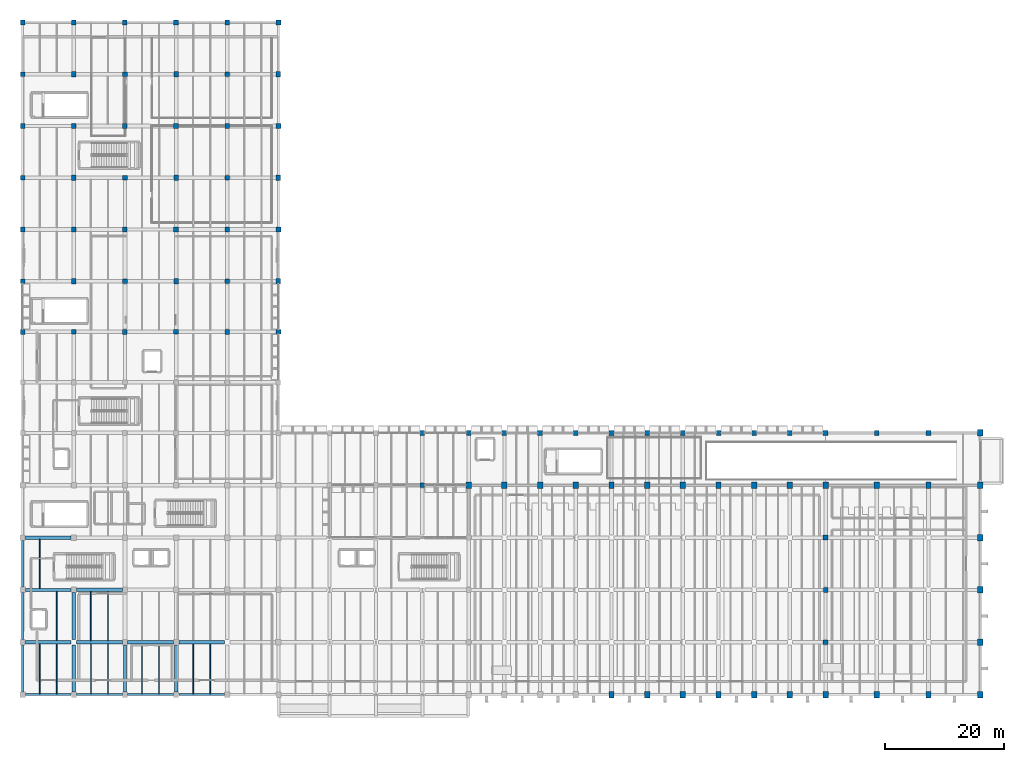
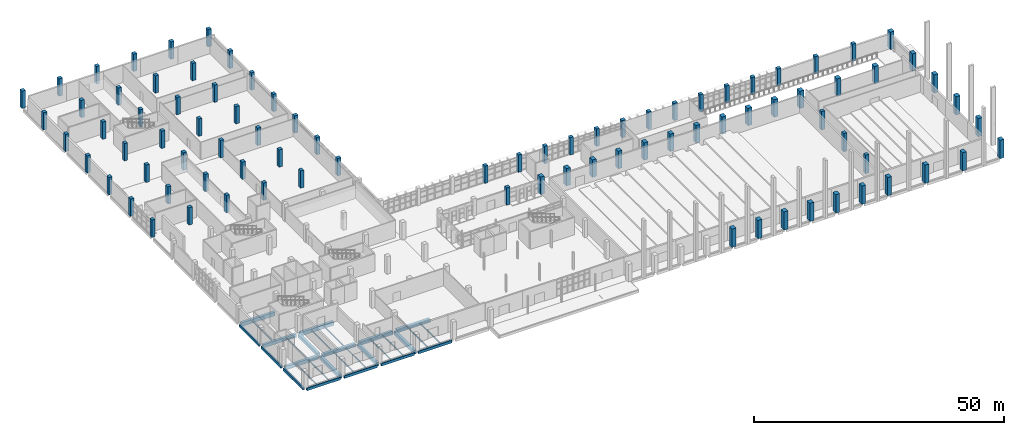
# One storey, part 7 of 76: 88 columns, 30 beams.
"""IFC4 building model written with IfcOpenShell, lengths in metres."""

from ifc_helpers import new_model, si_unit, direction, frame, origin, origin_2d, place, context, subcontext, project, spatial, rectangle, i_section, extrude, material, material_profile, profile_set, type_object, element, save


model = new_model("IFC4")

# Units and contexts
model_context = context("Model", 3, precision=1e-05, world=origin(), true_north=direction((0.0, 1.0)))
body_context = subcontext(model_context, "Body", "Model", "MODEL_VIEW")
ifc_project = project(units=[si_unit("LENGTHUNIT", "METRE"), si_unit("AREAUNIT", "SQUARE_METRE"), si_unit("VOLUMEUNIT", "CUBIC_METRE"), si_unit("PLANEANGLEUNIT", "RADIAN"), si_unit("MASSUNIT", "GRAM", prefix="KILO")], contexts=[model_context])

# Site, building, storey
site_placement = place(None, origin())
site = spatial("IfcSite", under=ifc_project, at=site_placement, CompositionType="ELEMENT")
building_placement = place(site_placement, origin())
building = spatial("IfcBuilding", under=site, at=building_placement, Name="Varnakota Cinema and Media Centre", CompositionType="ELEMENT")
storey_placement = place(building_placement, origin())
storey = spatial("IfcBuildingStorey", under=building, at=storey_placement, Name="L00", CompositionType="ELEMENT", Elevation=0.0)

# Columns
ifc_material_1 = material(Name="Concrete M40", Category="concrete")
ifc_material_profile_1 = material_profile(ifc_material_1, rectangle(XDim=0.75, YDim=0.85009765625, at=origin_2d()), Name="RC 750x850")
ifc_profile_set_1 = profile_set([ifc_material_profile_1], Name="Concrete M40")
column_type_1 = type_object("IfcColumnType", Name="COL-RC-750x850", PredefinedType="COLUMN", material=ifc_profile_set_1)
for number, where, z_axis, x_axis, name in (
    (1, (0.0, 61.0, 0.0), (0.0, 0.0, 1.0), (1.0, 0.0, 0.0), "L00 column A/8"),
    (2, (0.0, 78.199951171875, 0.0), (0.0, 0.0, 1.0), (1.0, 0.0, 0.0), "L00 column A/10"),
    (3, (0.0, 95.60009765625, 0.0), (0.0, 0.0, 1.0), (1.0, 0.0, 0.0), "L00 column A/12"),
    (4, (0.0, 113.0, 0.0), (0.0, 0.0, 1.0), (1.0, 0.0, 0.0), "L00 column A/14"),
    (5, (8.60009765625, 69.5, 0.0), (0.0, 0.0, 1.0), (1.0, 0.0, 0.0), "L00 column B/9"),
    (6, (8.60009765625, 86.89990234375, 0.0), (0.0, 0.0, 1.0), (1.0, 0.0, 0.0), "L00 column B/11"),
    (7, (8.60009765625, 104.300048828125, 0.0), (0.0, 0.0, 1.0), (1.0, 0.0, 0.0), "L00 column B/13"),
    (8, (17.199951171875, 61.0, 0.0), (0.0, 0.0, 1.0), (1.0, 0.0, 0.0), "L00 column C/8"),
    (9, (17.199951171875, 78.199951171875, 0.0), (0.0, 0.0, 1.0), (1.0, 0.0, 0.0), "L00 column C/10"),
    (10, (17.199951171875, 95.60009765625, 0.0), (0.0, 0.0, 1.0), (1.0, 0.0, 0.0), "L00 column C/12"),
    (11, (17.199951171875, 113.0, 0.0), (0.0, 0.0, 1.0), (1.0, 0.0, 0.0), "L00 column C/14"),
    (12, (25.800048828125, 69.5, 0.0), (0.0, 0.0, 1.0), (1.0, 0.0, 0.0), "L00 column D/9"),
    (13, (25.800048828125, 86.89990234375, 0.0), (0.0, 0.0, 1.0), (1.0, 0.0, 0.0), "L00 column D/11"),
    (14, (25.800048828125, 104.300048828125, 0.0), (0.0, 0.0, 1.0), (1.0, 0.0, 0.0), "L00 column D/13"),
    (15, (34.39990234375, 61.0, 0.0), (0.0, 0.0, 1.0), (1.0, 0.0, 0.0), "L00 column E/8"),
    (16, (34.39990234375, 78.199951171875, 0.0), (0.0, 0.0, 1.0), (1.0, 0.0, 0.0), "L00 column E/10"),
    (17, (34.39990234375, 95.60009765625, 0.0), (0.0, 0.0, 1.0), (1.0, 0.0, 0.0), "L00 column E/12"),
    (18, (34.39990234375, 113.0, 0.0), (0.0, 0.0, 1.0), (1.0, 0.0, 0.0), "L00 column E/14"),
    (19, (43.0, 69.5, 0.0), (0.0, 0.0, 1.0), (1.0, 0.0, 0.0), "L00 column F/9"),
    (20, (43.0, 86.89990234375, 0.0), (0.0, 0.0, 1.0), (1.0, 0.0, 0.0), "L00 column F/11"),
    (21, (43.0, 104.300048828125, 0.0), (0.0, 0.0, 1.0), (1.0, 0.0, 0.0), "L00 column F/13"),
    (22, (67.199951171875, 44.0, 0.0), (0.0, 0.0, 1.0), (1.0, 0.0, 0.0), "L00 column J/6"),
    (23, (81.0, 44.0, 0.0), (0.0, 0.0, 1.0), (1.0, 0.0, 0.0), "L00 column L/6"),
    (24, (93.0, 44.0, 0.0), (0.0, 0.0, 1.0), (1.0, 0.0, 0.0), "L00 column N/6"),
    (25, (105.0, 44.0, 0.0), (0.0, 0.0, 1.0), (1.0, 0.0, 0.0), "L00 column Q/6"),
    (26, (117.0, 44.0, 0.0), (0.0, 0.0, 1.0), (1.0, 0.0, 0.0), "L00 column S/6"),
    (27, (129.0, 44.0, 0.0), (0.0, 0.0, 1.0), (1.0, 0.0, 0.0), "L00 column U/6"),
):
    element("IfcColumn", number, at=place(storey_placement, frame(where, z_axis=z_axis, x_axis=x_axis)), inside=storey, type_object=column_type_1, Name=name, PredefinedType="COLUMN", context=body_context, shape_type="SweptSolid", body=[
        extrude(rectangle(XDim=0.75, YDim=0.85009765625, at=origin_2d()), origin(), (0.0, 0.0, 1.0), 4.25),
    ])
column_1_placement = place(storey_placement, frame((135.0, 17.60009765625, 0.0), z_axis=(0.0, 0.0, 1.0), x_axis=(1.0, 0.0, 0.0)))
element("IfcColumn", 28, at=column_1_placement, inside=storey, type_object=column_type_1, Name="L00 column V/3", PredefinedType="COLUMN", context=body_context, shape_type="SweptSolid", body=[
    extrude(rectangle(XDim=0.75, YDim=0.85009765625, at=origin_2d()), origin(), (0.0, 0.0, 1.0), 4.5),
])
column_2_placement = place(storey_placement, frame((143.60009765625, 44.0, 0.0), z_axis=(0.0, 0.0, 1.0), x_axis=(1.0, 0.0, 0.0)))
element("IfcColumn", 29, at=column_2_placement, inside=storey, type_object=column_type_1, Name="L00 column W/6", PredefinedType="COLUMN", context=body_context, shape_type="SweptSolid", body=[
    extrude(rectangle(XDim=0.75, YDim=0.85009765625, at=origin_2d()), origin(), (0.0, 0.0, 1.0), 4.25),
])
ifc_material_2 = material(Name="Concrete M40", Category="concrete")
ifc_material_profile_2 = material_profile(ifc_material_2, rectangle(XDim=0.800048828125, YDim=0.800048828125, at=origin_2d()), Name="RC 800x800")
ifc_profile_set_2 = profile_set([ifc_material_profile_2], Name="Concrete M40")
column_type_2 = type_object("IfcColumnType", Name="COL-RC-800x800", PredefinedType="COLUMN", material=ifc_profile_set_2)
for number, where, z_axis, x_axis, name in (
    (30, (0.0, 69.5, 0.0), (0.0, 0.0, 1.0), (1.0, 0.0, 0.0), "L00 column A/9"),
    (31, (0.0, 86.89990234375, 0.0), (0.0, 0.0, 1.0), (1.0, 0.0, 0.0), "L00 column A/11"),
    (32, (0.0, 104.300048828125, 0.0), (0.0, 0.0, 1.0), (1.0, 0.0, 0.0), "L00 column A/13"),
    (33, (8.60009765625, 61.0, 0.0), (0.0, 0.0, 1.0), (1.0, 0.0, 0.0), "L00 column B/8"),
    (34, (8.60009765625, 78.199951171875, 0.0), (0.0, 0.0, 1.0), (1.0, 0.0, 0.0), "L00 column B/10"),
    (35, (8.60009765625, 95.60009765625, 0.0), (0.0, 0.0, 1.0), (1.0, 0.0, 0.0), "L00 column B/12"),
    (36, (8.60009765625, 113.0, 0.0), (0.0, 0.0, 1.0), (1.0, 0.0, 0.0), "L00 column B/14"),
    (37, (17.199951171875, 69.5, 0.0), (0.0, 0.0, 1.0), (1.0, 0.0, 0.0), "L00 column C/9"),
    (38, (17.199951171875, 86.89990234375, 0.0), (0.0, 0.0, 1.0), (1.0, 0.0, 0.0), "L00 column C/11"),
    (39, (17.199951171875, 104.300048828125, 0.0), (0.0, 0.0, 1.0), (1.0, 0.0, 0.0), "L00 column C/13"),
    (40, (25.800048828125, 61.0, 0.0), (0.0, 0.0, 1.0), (1.0, 0.0, 0.0), "L00 column D/8"),
    (41, (25.800048828125, 78.199951171875, 0.0), (0.0, 0.0, 1.0), (1.0, 0.0, 0.0), "L00 column D/10"),
    (42, (25.800048828125, 95.60009765625, 0.0), (0.0, 0.0, 1.0), (1.0, 0.0, 0.0), "L00 column D/12"),
    (43, (25.800048828125, 113.0, 0.0), (0.0, 0.0, 1.0), (1.0, 0.0, 0.0), "L00 column D/14"),
    (44, (34.39990234375, 69.5, 0.0), (0.0, 0.0, 1.0), (1.0, 0.0, 0.0), "L00 column E/9"),
    (45, (34.39990234375, 86.89990234375, 0.0), (0.0, 0.0, 1.0), (1.0, 0.0, 0.0), "L00 column E/11"),
    (46, (34.39990234375, 104.300048828125, 0.0), (0.0, 0.0, 1.0), (1.0, 0.0, 0.0), "L00 column E/13"),
    (47, (43.0, 61.0, 0.0), (0.0, 0.0, 1.0), (1.0, 0.0, 0.0), "L00 column F/8"),
    (48, (43.0, 78.199951171875, 0.0), (0.0, 0.0, 1.0), (1.0, 0.0, 0.0), "L00 column F/10"),
    (49, (43.0, 95.60009765625, 0.0), (0.0, 0.0, 1.0), (1.0, 0.0, 0.0), "L00 column F/12"),
    (50, (43.0, 113.0, 0.0), (0.0, 0.0, 1.0), (1.0, 0.0, 0.0), "L00 column F/14"),
    (51, (67.199951171875, 35.199951171875, 0.0), (0.0, 0.0, 1.0), (1.0, 0.0, 0.0), "L00 column J/5"),
    (52, (75.0, 44.0, 0.0), (0.0, 0.0, 1.0), (1.0, 0.0, 0.0), "L00 column K/6"),
    (53, (87.0, 44.0, 0.0), (0.0, 0.0, 1.0), (1.0, 0.0, 0.0), "L00 column M/6"),
    (54, (99.0, 44.0, 0.0), (0.0, 0.0, 1.0), (1.0, 0.0, 0.0), "L00 column P/6"),
    (55, (111.0, 44.0, 0.0), (0.0, 0.0, 1.0), (1.0, 0.0, 0.0), "L00 column R/6"),
    (56, (123.0, 44.0, 0.0), (0.0, 0.0, 1.0), (1.0, 0.0, 0.0), "L00 column T/6"),
):
    element("IfcColumn", number, at=place(storey_placement, frame(where, z_axis=z_axis, x_axis=x_axis)), inside=storey, type_object=column_type_2, Name=name, PredefinedType="COLUMN", context=body_context, shape_type="SweptSolid", body=[
        extrude(rectangle(XDim=0.800048828125, YDim=0.800048828125, at=origin_2d()), origin(), (0.0, 0.0, 1.0), 4.25),
    ])
for number, where, z_axis, x_axis, name in (
    (57, (135.0, 8.800048828125, 0.0), (0.0, 0.0, 1.0), (1.0, 0.0, 0.0), "L00 column V/2"),
    (58, (135.0, 26.39990234375, 0.0), (0.0, 0.0, 1.0), (1.0, 0.0, 0.0), "L00 column V/4"),
):
    element("IfcColumn", number, at=place(storey_placement, frame(where, z_axis=z_axis, x_axis=x_axis)), inside=storey, type_object=column_type_2, Name=name, PredefinedType="COLUMN", context=body_context, shape_type="SweptSolid", body=[
        extrude(rectangle(XDim=0.800048828125, YDim=0.800048828125, at=origin_2d()), origin(), (0.0, 0.0, 1.0), 4.5),
    ])
for number, where, z_axis, x_axis, name in (
    (59, (135.0, 44.0, 0.0), (0.0, 0.0, 1.0), (1.0, 0.0, 0.0), "L00 column V/6"),
    (60, (152.300048828125, 44.0, 0.0), (0.0, 0.0, 1.0), (1.0, 0.0, 0.0), "L00 column X/6"),
):
    element("IfcColumn", number, at=place(storey_placement, frame(where, z_axis=z_axis, x_axis=x_axis)), inside=storey, type_object=column_type_2, Name=name, PredefinedType="COLUMN", context=body_context, shape_type="SweptSolid", body=[
        extrude(rectangle(XDim=0.800048828125, YDim=0.800048828125, at=origin_2d()), origin(), (0.0, 0.0, 1.0), 4.25),
    ])
ifc_material_3 = material(Name="Concrete M50", Category="concrete")
ifc_material_profile_3 = material_profile(ifc_material_3, rectangle(XDim=0.89990234375, YDim=1.10009765625, at=origin_2d()), Name="RC 900x1100")
ifc_profile_set_3 = profile_set([ifc_material_profile_3], Name="Concrete M50")
column_type_3 = type_object("IfcColumnType", Name="COL-RC-900x1100", PredefinedType="COLUMN", material=ifc_profile_set_3)
for number, where, z_axis, x_axis, name in (
    (61, (75.0, 35.199951171875, 0.0), (0.0, 0.0, 1.0), (1.0, 0.0, 0.0), "L00 column K/5"),
    (62, (81.0, 35.199951171875, 0.0), (0.0, 0.0, 1.0), (1.0, 0.0, 0.0), "L00 column L/5"),
    (63, (87.0, 35.199951171875, 0.0), (0.0, 0.0, 1.0), (1.0, 0.0, 0.0), "L00 column M/5"),
    (64, (93.0, 35.199951171875, 0.0), (0.0, 0.0, 1.0), (1.0, 0.0, 0.0), "L00 column N/5"),
):
    element("IfcColumn", number, at=place(storey_placement, frame(where, z_axis=z_axis, x_axis=x_axis)), inside=storey, type_object=column_type_3, Name=name, PredefinedType="COLUMN", context=body_context, shape_type="SweptSolid", body=[
        extrude(rectangle(XDim=0.89990234375, YDim=1.10009765625, at=origin_2d()), origin(), (0.0, 0.0, 1.0), 4.25),
    ])
column_3_placement = place(storey_placement, frame((99.0, 0.0, 0.0), z_axis=(0.0, 0.0, 1.0), x_axis=(1.0, 0.0, 0.0)))
element("IfcColumn", 65, at=column_3_placement, inside=storey, type_object=column_type_3, Name="L00 column P/1", PredefinedType="COLUMN", context=body_context, shape_type="SweptSolid", body=[
    extrude(rectangle(XDim=0.89990234375, YDim=1.10009765625, at=origin_2d()), origin(), (0.0, 0.0, 1.0), 4.5),
])
column_4_placement = place(storey_placement, frame((99.0, 35.199951171875, 0.0), z_axis=(0.0, 0.0, 1.0), x_axis=(1.0, 0.0, 0.0)))
element("IfcColumn", 66, at=column_4_placement, inside=storey, type_object=column_type_3, Name="L00 column P/5", PredefinedType="COLUMN", context=body_context, shape_type="SweptSolid", body=[
    extrude(rectangle(XDim=0.89990234375, YDim=1.10009765625, at=origin_2d()), origin(), (0.0, 0.0, 1.0), 4.25),
])
column_5_placement = place(storey_placement, frame((105.0, 0.0, 0.0), z_axis=(0.0, 0.0, 1.0), x_axis=(1.0, 0.0, 0.0)))
element("IfcColumn", 67, at=column_5_placement, inside=storey, type_object=column_type_3, Name="L00 column Q/1", PredefinedType="COLUMN", context=body_context, shape_type="SweptSolid", body=[
    extrude(rectangle(XDim=0.89990234375, YDim=1.10009765625, at=origin_2d()), origin(), (0.0, 0.0, 1.0), 4.5),
])
column_6_placement = place(storey_placement, frame((105.0, 35.199951171875, 0.0), z_axis=(0.0, 0.0, 1.0), x_axis=(1.0, 0.0, 0.0)))
element("IfcColumn", 68, at=column_6_placement, inside=storey, type_object=column_type_3, Name="L00 column Q/5", PredefinedType="COLUMN", context=body_context, shape_type="SweptSolid", body=[
    extrude(rectangle(XDim=0.89990234375, YDim=1.10009765625, at=origin_2d()), origin(), (0.0, 0.0, 1.0), 4.25),
])
column_7_placement = place(storey_placement, frame((111.0, 0.0, 0.0), z_axis=(0.0, 0.0, 1.0), x_axis=(1.0, 0.0, 0.0)))
element("IfcColumn", 69, at=column_7_placement, inside=storey, type_object=column_type_3, Name="L00 column R/1", PredefinedType="COLUMN", context=body_context, shape_type="SweptSolid", body=[
    extrude(rectangle(XDim=0.89990234375, YDim=1.10009765625, at=origin_2d()), origin(), (0.0, 0.0, 1.0), 4.5),
])
column_8_placement = place(storey_placement, frame((111.0, 35.199951171875, 0.0), z_axis=(0.0, 0.0, 1.0), x_axis=(1.0, 0.0, 0.0)))
element("IfcColumn", 70, at=column_8_placement, inside=storey, type_object=column_type_3, Name="L00 column R/5", PredefinedType="COLUMN", context=body_context, shape_type="SweptSolid", body=[
    extrude(rectangle(XDim=0.89990234375, YDim=1.10009765625, at=origin_2d()), origin(), (0.0, 0.0, 1.0), 4.25),
])
column_9_placement = place(storey_placement, frame((117.0, 0.0, 0.0), z_axis=(0.0, 0.0, 1.0), x_axis=(1.0, 0.0, 0.0)))
element("IfcColumn", 71, at=column_9_placement, inside=storey, type_object=column_type_3, Name="L00 column S/1", PredefinedType="COLUMN", context=body_context, shape_type="SweptSolid", body=[
    extrude(rectangle(XDim=0.89990234375, YDim=1.10009765625, at=origin_2d()), origin(), (0.0, 0.0, 1.0), 4.5),
])
column_10_placement = place(storey_placement, frame((117.0, 35.199951171875, 0.0), z_axis=(0.0, 0.0, 1.0), x_axis=(1.0, 0.0, 0.0)))
element("IfcColumn", 72, at=column_10_placement, inside=storey, type_object=column_type_3, Name="L00 column S/5", PredefinedType="COLUMN", context=body_context, shape_type="SweptSolid", body=[
    extrude(rectangle(XDim=0.89990234375, YDim=1.10009765625, at=origin_2d()), origin(), (0.0, 0.0, 1.0), 4.25),
])
column_11_placement = place(storey_placement, frame((123.0, 0.0, 0.0), z_axis=(0.0, 0.0, 1.0), x_axis=(1.0, 0.0, 0.0)))
element("IfcColumn", 73, at=column_11_placement, inside=storey, type_object=column_type_3, Name="L00 column T/1", PredefinedType="COLUMN", context=body_context, shape_type="SweptSolid", body=[
    extrude(rectangle(XDim=0.89990234375, YDim=1.10009765625, at=origin_2d()), origin(), (0.0, 0.0, 1.0), 4.5),
])
column_12_placement = place(storey_placement, frame((123.0, 35.199951171875, 0.0), z_axis=(0.0, 0.0, 1.0), x_axis=(1.0, 0.0, 0.0)))
element("IfcColumn", 74, at=column_12_placement, inside=storey, type_object=column_type_3, Name="L00 column T/5", PredefinedType="COLUMN", context=body_context, shape_type="SweptSolid", body=[
    extrude(rectangle(XDim=0.89990234375, YDim=1.10009765625, at=origin_2d()), origin(), (0.0, 0.0, 1.0), 4.25),
])
column_13_placement = place(storey_placement, frame((129.0, 0.0, 0.0), z_axis=(0.0, 0.0, 1.0), x_axis=(1.0, 0.0, 0.0)))
element("IfcColumn", 75, at=column_13_placement, inside=storey, type_object=column_type_3, Name="L00 column U/1", PredefinedType="COLUMN", context=body_context, shape_type="SweptSolid", body=[
    extrude(rectangle(XDim=0.89990234375, YDim=1.10009765625, at=origin_2d()), origin(), (0.0, 0.0, 1.0), 4.5),
])
column_14_placement = place(storey_placement, frame((129.0, 35.199951171875, 0.0), z_axis=(0.0, 0.0, 1.0), x_axis=(1.0, 0.0, 0.0)))
element("IfcColumn", 76, at=column_14_placement, inside=storey, type_object=column_type_3, Name="L00 column U/5", PredefinedType="COLUMN", context=body_context, shape_type="SweptSolid", body=[
    extrude(rectangle(XDim=0.89990234375, YDim=1.10009765625, at=origin_2d()), origin(), (0.0, 0.0, 1.0), 4.25),
])
column_15_placement = place(storey_placement, frame((135.0, 0.0, 0.0), z_axis=(0.0, 0.0, 1.0), x_axis=(1.0, 0.0, 0.0)))
element("IfcColumn", 77, at=column_15_placement, inside=storey, type_object=column_type_3, Name="L00 column V/1", PredefinedType="COLUMN", context=body_context, shape_type="SweptSolid", body=[
    extrude(rectangle(XDim=0.89990234375, YDim=1.10009765625, at=origin_2d()), origin(), (0.0, 0.0, 1.0), 4.5),
])
column_16_placement = place(storey_placement, frame((135.0, 35.199951171875, 0.0), z_axis=(0.0, 0.0, 1.0), x_axis=(1.0, 0.0, 0.0)))
element("IfcColumn", 78, at=column_16_placement, inside=storey, type_object=column_type_3, Name="L00 column V/5", PredefinedType="COLUMN", context=body_context, shape_type="SweptSolid", body=[
    extrude(rectangle(XDim=0.89990234375, YDim=1.10009765625, at=origin_2d()), origin(), (0.0, 0.0, 1.0), 4.25),
])
column_17_placement = place(storey_placement, frame((143.60009765625, 0.0, 0.0), z_axis=(0.0, 0.0, 1.0), x_axis=(1.0, 0.0, 0.0)))
element("IfcColumn", 79, at=column_17_placement, inside=storey, type_object=column_type_3, Name="L00 column W/1", PredefinedType="COLUMN", context=body_context, shape_type="SweptSolid", body=[
    extrude(rectangle(XDim=0.89990234375, YDim=1.10009765625, at=origin_2d()), origin(), (0.0, 0.0, 1.0), 4.5),
])
column_18_placement = place(storey_placement, frame((143.60009765625, 35.199951171875, 0.0), z_axis=(0.0, 0.0, 1.0), x_axis=(1.0, 0.0, 0.0)))
element("IfcColumn", 80, at=column_18_placement, inside=storey, type_object=column_type_3, Name="L00 column W/5", PredefinedType="COLUMN", context=body_context, shape_type="SweptSolid", body=[
    extrude(rectangle(XDim=0.89990234375, YDim=1.10009765625, at=origin_2d()), origin(), (0.0, 0.0, 1.0), 4.25),
])
column_19_placement = place(storey_placement, frame((152.300048828125, 0.0, 0.0), z_axis=(0.0, 0.0, 1.0), x_axis=(1.0, 0.0, 0.0)))
element("IfcColumn", 81, at=column_19_placement, inside=storey, type_object=column_type_3, Name="L00 column X/1", PredefinedType="COLUMN", context=body_context, shape_type="SweptSolid", body=[
    extrude(rectangle(XDim=0.89990234375, YDim=1.10009765625, at=origin_2d()), origin(), (0.0, 0.0, 1.0), 4.5),
])
column_20_placement = place(storey_placement, frame((152.300048828125, 35.199951171875, 0.0), z_axis=(0.0, 0.0, 1.0), x_axis=(1.0, 0.0, 0.0)))
element("IfcColumn", 82, at=column_20_placement, inside=storey, type_object=column_type_3, Name="L00 column X/5", PredefinedType="COLUMN", context=body_context, shape_type="SweptSolid", body=[
    extrude(rectangle(XDim=0.89990234375, YDim=1.10009765625, at=origin_2d()), origin(), (0.0, 0.0, 1.0), 4.25),
])
for number, where, z_axis, x_axis, name in (
    (83, (161.0, 0.0, 0.0), (0.0, 0.0, 1.0), (1.0, 0.0, 0.0), "L00 column Y/1"),
    (84, (161.0, 8.800048828125, 0.0), (0.0, 0.0, 1.0), (1.0, 0.0, 0.0), "L00 column Y/2"),
    (85, (161.0, 17.60009765625, 0.0), (0.0, 0.0, 1.0), (1.0, 0.0, 0.0), "L00 column Y/3"),
    (86, (161.0, 26.39990234375, 0.0), (0.0, 0.0, 1.0), (1.0, 0.0, 0.0), "L00 column Y/4"),
):
    element("IfcColumn", number, at=place(storey_placement, frame(where, z_axis=z_axis, x_axis=x_axis)), inside=storey, type_object=column_type_3, Name=name, PredefinedType="COLUMN", context=body_context, shape_type="SweptSolid", body=[
        extrude(rectangle(XDim=0.89990234375, YDim=1.10009765625, at=origin_2d()), origin(), (0.0, 0.0, 1.0), 4.5),
    ])
for number, where, z_axis, x_axis, name in (
    (87, (161.0, 35.199951171875, 0.0), (0.0, 0.0, 1.0), (1.0, 0.0, 0.0), "L00 column Y/5"),
    (88, (161.0, 44.0, 0.0), (0.0, 0.0, 1.0), (1.0, 0.0, 0.0), "L00 column Y/6"),
):
    element("IfcColumn", number, at=place(storey_placement, frame(where, z_axis=z_axis, x_axis=x_axis)), inside=storey, type_object=column_type_3, Name=name, PredefinedType="COLUMN", context=body_context, shape_type="SweptSolid", body=[
        extrude(rectangle(XDim=0.89990234375, YDim=1.10009765625, at=origin_2d()), origin(), (0.0, 0.0, 1.0), 4.25),
    ])

# Beams
ifc_material_4 = material(Name="Concrete M35", Category="concrete")
ifc_material_profile_4 = material_profile(ifc_material_4, rectangle(XDim=0.550048828125, YDim=0.800048828125, at=origin_2d()), Name="RCB 550x800")
ifc_profile_set_4 = profile_set([ifc_material_profile_4], Name="Concrete M35")
beam_type_1 = type_object("IfcBeamType", Name="BM-RC-550x800", PredefinedType="BEAM", material=ifc_profile_set_4)
for number, where, z_axis, x_axis, name in (
    (89, (9.050048828125, 8.800048828125, -0.679931640625), (1.0, 0.0, 0.0), (0.0, 1.0, 0.0), "L00 girder B-C/2"),
    (90, (0.449951171875, 17.60009765625, -0.679931640625), (1.0, 0.0, 0.0), (0.0, 1.0, 0.0), "L00 girder A-B/3"),
):
    element("IfcBeam", number, at=place(storey_placement, frame(where, z_axis=z_axis, x_axis=x_axis)), inside=storey, type_object=beam_type_1, Name=name, PredefinedType="BEAM", context=body_context, shape_type="SweptSolid", body=[
        extrude(rectangle(XDim=0.550048828125, YDim=0.800048828125, at=origin_2d()), origin(), (0.0, 0.0, 1.0), 7.699951171875),
    ])
beam_1_placement = place(storey_placement, frame((8.60009765625, 9.25, -0.679931640625), z_axis=(0.0, 1.0, 0.0), x_axis=(-1.0, 0.0, 0.0)))
element("IfcBeam", 91, at=beam_1_placement, inside=storey, type_object=beam_type_1, Name="L00 girder B/2-3", PredefinedType="BEAM", context=body_context, shape_type="SweptSolid", body=[
    extrude(rectangle(XDim=0.550048828125, YDim=0.800048828125, at=origin_2d()), origin(), (0.0, 0.0, 1.0), 7.89990234375),
])
beam_2_placement = place(storey_placement, frame((17.199951171875, 0.449951171875, -0.679931640625), z_axis=(0.0, 1.0, 0.0), x_axis=(-1.0, 0.0, 0.0)))
element("IfcBeam", 92, at=beam_2_placement, inside=storey, type_object=beam_type_1, Name="L00 girder C/1-2", PredefinedType="BEAM", context=body_context, shape_type="SweptSolid", body=[
    extrude(rectangle(XDim=0.550048828125, YDim=0.800048828125, at=origin_2d()), origin(), (0.0, 0.0, 1.0), 7.900146484375),
])
ifc_material_5 = material(Name="Concrete M35", Category="concrete")
ifc_material_profile_5 = material_profile(ifc_material_5, rectangle(XDim=0.60009765625, YDim=0.85009765625, at=origin_2d()), Name="RCB 600x850")
ifc_profile_set_5 = profile_set([ifc_material_profile_5], Name="Concrete M35")
beam_type_2 = type_object("IfcBeamType", Name="BM-RC-600x850", PredefinedType="BEAM", material=ifc_profile_set_5)
for number, where, z_axis, x_axis, name in (
    (93, (0.449951171875, 8.800048828125, -0.705078125), (1.0, 0.0, 0.0), (0.0, 1.0, 0.0), "L00 girder A-B/2"),
    (94, (26.25, 8.800048828125, -0.705078125), (1.0, 0.0, 0.0), (0.0, 1.0, 0.0), "L00 girder D-E/2"),
):
    element("IfcBeam", number, at=place(storey_placement, frame(where, z_axis=z_axis, x_axis=x_axis)), inside=storey, type_object=beam_type_2, Name=name, PredefinedType="BEAM", context=body_context, shape_type="SweptSolid", body=[
        extrude(rectangle(XDim=0.60009765625, YDim=0.85009765625, at=origin_2d()), origin(), (0.0, 0.0, 1.0), 7.699951171875),
    ])
beam_3_placement = place(storey_placement, frame((8.60009765625, 0.449951171875, -0.705078125), z_axis=(0.0, 1.0, 0.0), x_axis=(-1.0, 0.0, 0.0)))
element("IfcBeam", 95, at=beam_3_placement, inside=storey, type_object=beam_type_2, Name="L00 girder B/1-2", PredefinedType="BEAM", context=body_context, shape_type="SweptSolid", body=[
    extrude(rectangle(XDim=0.60009765625, YDim=0.85009765625, at=origin_2d()), origin(), (0.0, 0.0, 1.0), 7.900146484375),
])
ifc_material_6 = material(Name="Concrete M40", Category="concrete")
ifc_material_profile_6 = material_profile(ifc_material_6, rectangle(XDim=0.60009765625, YDim=0.89990234375, at=origin_2d()), Name="RCB 600x900")
ifc_profile_set_6 = profile_set([ifc_material_profile_6], Name="Concrete M40")
beam_type_3 = type_object("IfcBeamType", Name="BM-RC-600x900", PredefinedType="BEAM", material=ifc_profile_set_6)
beam_4_placement = place(storey_placement, frame((17.64990234375, 8.800048828125, -0.72998046875), z_axis=(1.0, 0.0, 0.0), x_axis=(0.0, 1.0, 0.0)))
element("IfcBeam", 96, at=beam_4_placement, inside=storey, type_object=beam_type_3, Name="L00 girder C-D/2", PredefinedType="BEAM", context=body_context, shape_type="SweptSolid", body=[
    extrude(rectangle(XDim=0.60009765625, YDim=0.89990234375, at=origin_2d()), origin(), (0.0, 0.0, 1.0), 7.7001953125),
])
for number, where, z_axis, x_axis, name in (
    (97, (9.050048828125, 17.60009765625, -0.72998046875), (1.0, 0.0, 0.0), (0.0, 1.0, 0.0), "L00 girder B-C/3"),
    (98, (0.449951171875, 26.39990234375, -0.72998046875), (1.0, 0.0, 0.0), (0.0, 1.0, 0.0), "L00 girder A-B/4"),
):
    element("IfcBeam", number, at=place(storey_placement, frame(where, z_axis=z_axis, x_axis=x_axis)), inside=storey, type_object=beam_type_3, Name=name, PredefinedType="BEAM", context=body_context, shape_type="SweptSolid", body=[
        extrude(rectangle(XDim=0.60009765625, YDim=0.89990234375, at=origin_2d()), origin(), (0.0, 0.0, 1.0), 7.699951171875),
    ])
beam_5_placement = place(storey_placement, frame((25.800048828125, 0.449951171875, -0.72998046875), z_axis=(0.0, 1.0, 0.0), x_axis=(-1.0, 0.0, 0.0)))
element("IfcBeam", 99, at=beam_5_placement, inside=storey, type_object=beam_type_3, Name="L00 girder D/1-2", PredefinedType="BEAM", context=body_context, shape_type="SweptSolid", body=[
    extrude(rectangle(XDim=0.60009765625, YDim=0.89990234375, at=origin_2d()), origin(), (0.0, 0.0, 1.0), 7.900146484375),
])
ifc_material_7 = material(Name="Concrete M40", Category="concrete")
ifc_material_profile_7 = material_profile(ifc_material_7, rectangle(XDim=0.35009765625, YDim=0.64990234375, at=origin_2d()), Name="RCB 350x650")
ifc_profile_set_7 = profile_set([ifc_material_profile_7], Name="Concrete M40")
beam_type_4 = type_object("IfcBeamType", Name="BM-SP-350x650", PredefinedType="SPANDREL", material=ifc_profile_set_7)
for number, where, z_axis, x_axis, name in (
    (100, (0.449951171875, 0.0, -0.60498046875), (1.0, 0.0, 0.0), (0.0, 1.0, 0.0), "L00 girder A-B/1"),
    (101, (9.050048828125, 0.0, -0.60498046875), (1.0, 0.0, 0.0), (0.0, 1.0, 0.0), "L00 girder B-C/1"),
):
    element("IfcBeam", number, at=place(storey_placement, frame(where, z_axis=z_axis, x_axis=x_axis)), inside=storey, type_object=beam_type_4, Name=name, PredefinedType="SPANDREL", context=body_context, shape_type="SweptSolid", body=[
        extrude(rectangle(XDim=0.35009765625, YDim=0.64990234375, at=origin_2d()), origin(), (0.0, 0.0, 1.0), 7.699951171875),
    ])
beam_6_placement = place(storey_placement, frame((17.64990234375, 0.0, -0.60498046875), z_axis=(1.0, 0.0, 0.0), x_axis=(0.0, 1.0, 0.0)))
element("IfcBeam", 102, at=beam_6_placement, inside=storey, type_object=beam_type_4, Name="L00 girder C-D/1", PredefinedType="SPANDREL", context=body_context, shape_type="SweptSolid", body=[
    extrude(rectangle(XDim=0.35009765625, YDim=0.64990234375, at=origin_2d()), origin(), (0.0, 0.0, 1.0), 7.7001953125),
])
beam_7_placement = place(storey_placement, frame((26.25, 0.0, -0.60498046875), z_axis=(1.0, 0.0, 0.0), x_axis=(0.0, 1.0, 0.0)))
element("IfcBeam", 103, at=beam_7_placement, inside=storey, type_object=beam_type_4, Name="L00 girder D-E/1", PredefinedType="SPANDREL", context=body_context, shape_type="SweptSolid", body=[
    extrude(rectangle(XDim=0.35009765625, YDim=0.64990234375, at=origin_2d()), origin(), (0.0, 0.0, 1.0), 7.699951171875),
])
beam_8_placement = place(storey_placement, frame((0.0, 0.449951171875, -0.60498046875), z_axis=(0.0, 1.0, 0.0), x_axis=(-1.0, 0.0, 0.0)))
element("IfcBeam", 104, at=beam_8_placement, inside=storey, type_object=beam_type_4, Name="L00 girder A/1-2", PredefinedType="SPANDREL", context=body_context, shape_type="SweptSolid", body=[
    extrude(rectangle(XDim=0.35009765625, YDim=0.64990234375, at=origin_2d()), origin(), (0.0, 0.0, 1.0), 7.900146484375),
])
for number, where, z_axis, x_axis, name in (
    (105, (0.0, 9.25, -0.60498046875), (0.0, 1.0, 0.0), (-1.0, 0.0, 0.0), "L00 girder A/2-3"),
    (106, (0.0, 18.050048828125, -0.60498046875), (0.0, 1.0, 0.0), (-1.0, 0.0, 0.0), "L00 girder A/3-4"),
):
    element("IfcBeam", number, at=place(storey_placement, frame(where, z_axis=z_axis, x_axis=x_axis)), inside=storey, type_object=beam_type_4, Name=name, PredefinedType="SPANDREL", context=body_context, shape_type="SweptSolid", body=[
        extrude(rectangle(XDim=0.35009765625, YDim=0.64990234375, at=origin_2d()), origin(), (0.0, 0.0, 1.0), 7.89990234375),
    ])
ifc_material_8 = material(Name="Structural steel Grade 350 (E350)", Category="steel")
ifc_material_profile_8 = material_profile(ifc_material_8, i_section(OverallWidth=0.110107421875, OverallDepth=0.22509765625, WebThickness=0.006591796875, FlangeThickness=0.01171875, FilletRadius=0.011962890625, at=origin_2d()), Name="ISMB 225")
ifc_profile_set_8 = profile_set([ifc_material_profile_8], Name="Structural steel Grade 350 (E350)")
beam_type_5 = type_object("IfcBeamType", Name="BM-ST-ISMB225", PredefinedType="JOIST", material=ifc_profile_set_8)
for number, where, z_axis, x_axis, name in (
    (107, (2.86669921875, 0.175048828125, -0.392578125), (0.0, 1.0, 0.0), (-1.0, 0.0, 0.0), "L00 steel joist A-B/1-2 #1"),
    (108, (5.7333984375, 0.175048828125, -0.392578125), (0.0, 1.0, 0.0), (-1.0, 0.0, 0.0), "L00 steel joist A-B/1-2 #2"),
):
    element("IfcBeam", number, at=place(storey_placement, frame(where, z_axis=z_axis, x_axis=x_axis)), inside=storey, type_object=beam_type_5, Name=name, PredefinedType="JOIST", context=body_context, shape_type="SweptSolid", body=[
        extrude(i_section(OverallWidth=0.110107421875, OverallDepth=0.22509765625, WebThickness=0.006591796875, FlangeThickness=0.01171875, FilletRadius=0.011962890625, at=origin_2d()), origin(), (0.0, 0.0, 1.0), 8.324951171875),
    ])
ifc_material_9 = material(Name="Structural steel Grade 350 (E350)", Category="steel")
ifc_material_profile_9 = material_profile(ifc_material_9, i_section(OverallWidth=0.125, OverallDepth=0.25, WebThickness=0.0068359375, FlangeThickness=0.012451171875, FilletRadius=0.012939453125, at=origin_2d()), Name="ISMB 250")
ifc_profile_set_9 = profile_set([ifc_material_profile_9], Name="Structural steel Grade 350 (E350)")
beam_type_6 = type_object("IfcBeamType", Name="BM-ST-ISMB250", PredefinedType="JOIST", material=ifc_profile_set_9)
beam_9_placement = place(storey_placement, frame((5.7333984375, 9.10009765625, -0.405029296875), z_axis=(0.0, 1.0, 0.0), x_axis=(-1.0, 0.0, 0.0)))
element("IfcBeam", 109, at=beam_9_placement, inside=storey, type_object=beam_type_6, Name="L00 steel joist A-B/2-3 #2", PredefinedType="JOIST", context=body_context, shape_type="SweptSolid", body=[
    extrude(i_section(OverallWidth=0.125, OverallDepth=0.25, WebThickness=0.0068359375, FlangeThickness=0.012451171875, FilletRadius=0.012939453125, at=origin_2d()), origin(), (0.0, 0.0, 1.0), 8.224853515625),
])
for number, where, z_axis, x_axis, name in (
    (110, (11.466796875, 0.175048828125, -0.405029296875), (0.0, 1.0, 0.0), (-1.0, 0.0, 0.0), "L00 steel joist B-C/1-2 #1"),
    (111, (14.333251953125, 0.175048828125, -0.405029296875), (0.0, 1.0, 0.0), (-1.0, 0.0, 0.0), "L00 steel joist B-C/1-2 #2"),
):
    element("IfcBeam", number, at=place(storey_placement, frame(where, z_axis=z_axis, x_axis=x_axis)), inside=storey, type_object=beam_type_6, Name=name, PredefinedType="JOIST", context=body_context, shape_type="SweptSolid", body=[
        extrude(i_section(OverallWidth=0.125, OverallDepth=0.25, WebThickness=0.0068359375, FlangeThickness=0.012451171875, FilletRadius=0.012939453125, at=origin_2d()), origin(), (0.0, 0.0, 1.0), 8.349853515625),
    ])
ifc_material_10 = material(Name="Structural steel Grade 350 (E350)", Category="steel")
ifc_material_profile_10 = material_profile(ifc_material_10, i_section(OverallWidth=0.139892578125, OverallDepth=0.300048828125, WebThickness=0.0078125, FlangeThickness=0.01318359375, FilletRadius=0.013916015625, at=origin_2d()), Name="ISMB 300")
ifc_profile_set_10 = profile_set([ifc_material_profile_10], Name="Structural steel Grade 350 (E350)")
beam_type_7 = type_object("IfcBeamType", Name="BM-ST-ISMB300", PredefinedType="JOIST", material=ifc_profile_set_10)
for number, where, z_axis, x_axis, name in (
    (112, (2.86669921875, 17.875, -0.429931640625), (0.0, 1.0, 0.0), (-1.0, 0.0, 0.0), "L00 steel joist A-B/3-4 #1"),
    (113, (11.466796875, 9.074951171875, -0.429931640625), (0.0, 1.0, 0.0), (-1.0, 0.0, 0.0), "L00 steel joist B-C/2-3 #1"),
    (114, (14.333251953125, 9.074951171875, -0.429931640625), (0.0, 1.0, 0.0), (-1.0, 0.0, 0.0), "L00 steel joist B-C/2-3 #2"),
):
    element("IfcBeam", number, at=place(storey_placement, frame(where, z_axis=z_axis, x_axis=x_axis)), inside=storey, type_object=beam_type_7, Name=name, PredefinedType="JOIST", context=body_context, shape_type="SweptSolid", body=[
        extrude(i_section(OverallWidth=0.139892578125, OverallDepth=0.300048828125, WebThickness=0.0078125, FlangeThickness=0.01318359375, FilletRadius=0.013916015625, at=origin_2d()), origin(), (0.0, 0.0, 1.0), 8.22509765625),
    ])
for number, where, z_axis, x_axis, name in (
    (115, (20.066650390625, 0.175048828125, -0.429931640625), (0.0, 1.0, 0.0), (-1.0, 0.0, 0.0), "L00 steel joist C-D/1-2 #1"),
    (116, (22.933349609375, 0.175048828125, -0.429931640625), (0.0, 1.0, 0.0), (-1.0, 0.0, 0.0), "L00 steel joist C-D/1-2 #2"),
):
    element("IfcBeam", number, at=place(storey_placement, frame(where, z_axis=z_axis, x_axis=x_axis)), inside=storey, type_object=beam_type_7, Name=name, PredefinedType="JOIST", context=body_context, shape_type="SweptSolid", body=[
        extrude(i_section(OverallWidth=0.139892578125, OverallDepth=0.300048828125, WebThickness=0.0078125, FlangeThickness=0.01318359375, FilletRadius=0.013916015625, at=origin_2d()), origin(), (0.0, 0.0, 1.0), 8.324951171875),
    ])
ifc_material_11 = material(Name="Structural steel Grade 350 (E350)", Category="steel")
ifc_material_profile_11 = material_profile(ifc_material_11, i_section(OverallWidth=0.139892578125, OverallDepth=0.35009765625, WebThickness=0.008056640625, FlangeThickness=0.01416015625, FilletRadius=0.013916015625, at=origin_2d()), Name="ISMB 350")
ifc_profile_set_11 = profile_set([ifc_material_profile_11], Name="Structural steel Grade 350 (E350)")
beam_type_8 = type_object("IfcBeamType", Name="BM-ST-ISMB350", PredefinedType="JOIST", material=ifc_profile_set_11)
for number, where, z_axis, x_axis, name in (
    (117, (28.666748046875, 0.175048828125, -0.455078125), (0.0, 1.0, 0.0), (-1.0, 0.0, 0.0), "L00 steel joist D-E/1-2 #1"),
    (118, (31.533203125, 0.175048828125, -0.455078125), (0.0, 1.0, 0.0), (-1.0, 0.0, 0.0), "L00 steel joist D-E/1-2 #2"),
):
    element("IfcBeam", number, at=place(storey_placement, frame(where, z_axis=z_axis, x_axis=x_axis)), inside=storey, type_object=beam_type_8, Name=name, PredefinedType="JOIST", context=body_context, shape_type="SweptSolid", body=[
        extrude(i_section(OverallWidth=0.139892578125, OverallDepth=0.35009765625, WebThickness=0.008056640625, FlangeThickness=0.01416015625, FilletRadius=0.013916015625, at=origin_2d()), origin(), (0.0, 0.0, 1.0), 8.324951171875),
    ])

save(model, "model.ifc")
